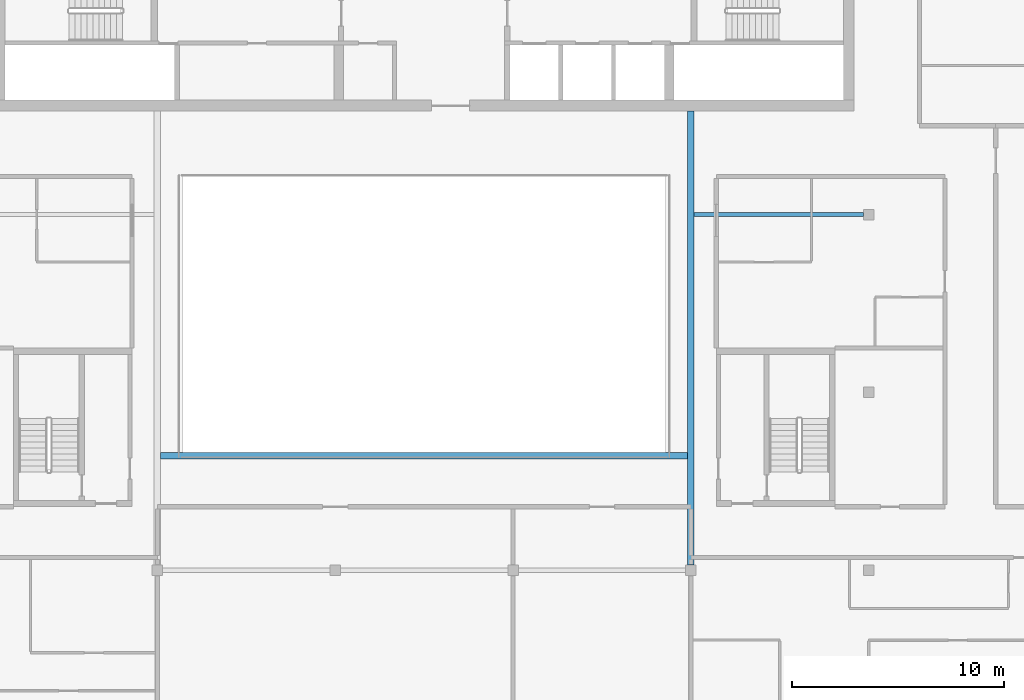
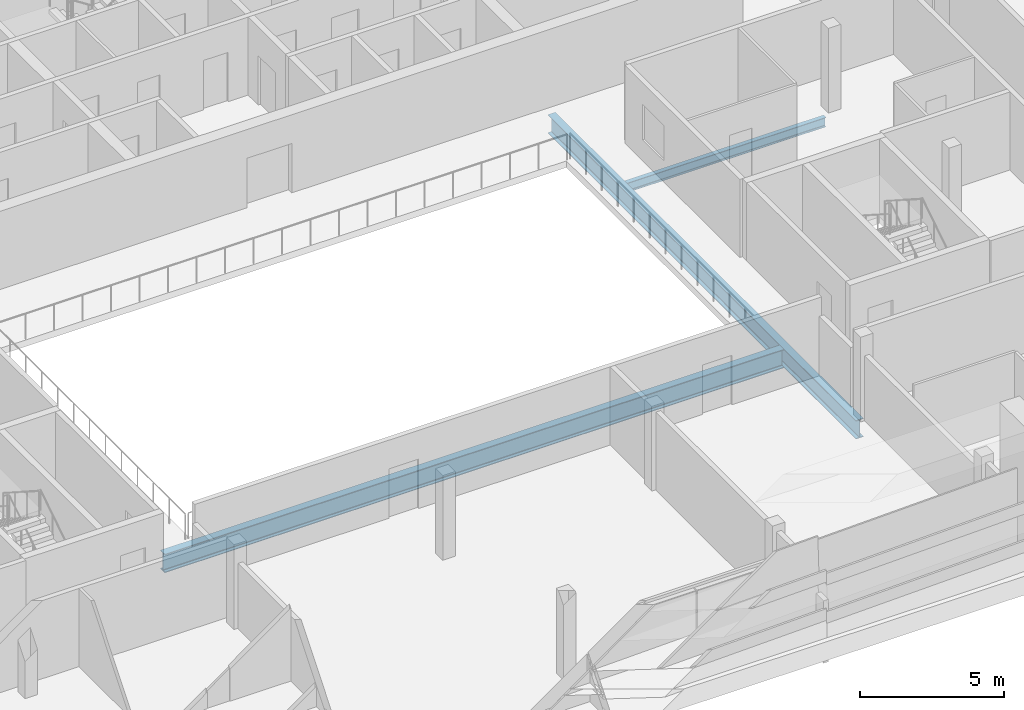
# One storey, part 8 of 33: 3 beams.
"""IFC4 building model written with IfcOpenShell, lengths in metres."""

from ifc_helpers import new_model, si_unit, direction, frame, origin, origin_2d, place, context, subcontext, project, spatial, i_section, extrude, material, material_profile, profile_set, type_object, element, save


model = new_model("IFC4")

# Units and contexts
model_context = context("Model", 3, precision=1e-05, world=origin(), true_north=direction((0.0, 1.0)))
body_context = subcontext(model_context, "Body", "Model", "MODEL_VIEW")
ifc_project = project(units=[si_unit("LENGTHUNIT", "METRE"), si_unit("AREAUNIT", "SQUARE_METRE"), si_unit("VOLUMEUNIT", "CUBIC_METRE"), si_unit("PLANEANGLEUNIT", "RADIAN"), si_unit("MASSUNIT", "GRAM", prefix="KILO")], contexts=[model_context])

# Site, building, storey
site_placement = place(None, origin())
site = spatial("IfcSite", under=ifc_project, at=site_placement, CompositionType="ELEMENT")
building_placement = place(site_placement, origin())
building = spatial("IfcBuilding", under=site, at=building_placement, Name="Saffron Gate Tower", CompositionType="ELEMENT")
storey_placement = place(building_placement, frame((0.0, 0.0, 263.550048828125)))
storey = spatial("IfcBuildingStorey", under=building, at=storey_placement, Name="L63", CompositionType="ELEMENT", Elevation=263.550048828125)

# Beams
ifc_material = material(Name="Structural steel S355", Category="steel")
ifc_material_profile_1 = material_profile(ifc_material, i_section(OverallWidth=0.300048828125, OverallDepth=0.7900390625, WebThickness=0.014892578125, FlangeThickness=0.028076171875, FilletRadius=0.030029296875, at=origin_2d()))
ifc_profile_set_1 = profile_set([ifc_material_profile_1], Name="Structural steel S355")
beam_type_1 = type_object("IfcBeamType", Name="B18 HEA 800", PredefinedType="BEAM", material=ifc_profile_set_1)
beam_1_placement = place(storey_placement, frame((100.199951171875, 40.449951171875, -0.675048828125), z_axis=(0.0, 1.0, 0.0), x_axis=(-1.0, 0.0, 0.0)))
element("IfcBeam", 1, at=beam_1_placement, inside=storey, type_object=beam_type_1, Name="B18 ATRIUM GIRDER", PredefinedType="BEAM", context=body_context, shape_type="SweptSolid", body=[
    extrude(i_section(OverallWidth=0.300048828125, OverallDepth=0.7900390625, WebThickness=0.014892578125, FlangeThickness=0.028076171875, FilletRadius=0.030029296875, at=origin_2d()), origin(), (0.0, 0.0, 1.0), 21.449951171875),
])
beam_2_placement = place(storey_placement, frame((75.14990234375, 45.60009765625, -0.675048828125), z_axis=(1.0, 0.0, 0.0), x_axis=(0.0, 1.0, 0.0)))
element("IfcBeam", 2, at=beam_2_placement, inside=storey, type_object=beam_type_1, Name="B18 ATRIUM GIRDER", PredefinedType="BEAM", context=body_context, shape_type="SweptSolid", body=[
    extrude(i_section(OverallWidth=0.300048828125, OverallDepth=0.7900390625, WebThickness=0.014892578125, FlangeThickness=0.028076171875, FilletRadius=0.030029296875, at=origin_2d()), origin(), (0.0, 0.0, 1.0), 24.900146484375),
])
ifc_material_profile_2 = material_profile(ifc_material, i_section(OverallWidth=0.179931640625, OverallDepth=0.39990234375, WebThickness=0.008544921875, FlangeThickness=0.013427734375, FilletRadius=0.02099609375, at=origin_2d()))
ifc_profile_set_2 = profile_set([ifc_material_profile_2], Name="Structural steel S355")
beam_type_2 = type_object("IfcBeamType", Name="B4 IPE 400", PredefinedType="BEAM", material=ifc_profile_set_2)
beam_3_placement = place(storey_placement, frame((108.35009765625, 57.0, -0.47998046875), z_axis=(-1.0, 0.0, 0.0), x_axis=(0.0, -1.0, 0.0)))
element("IfcBeam", 3, at=beam_3_placement, inside=storey, type_object=beam_type_2, Name="B4 CORE TIE BEAM", PredefinedType="BEAM", context=body_context, shape_type="SweptSolid", body=[
    extrude(i_section(OverallWidth=0.179931640625, OverallDepth=0.39990234375, WebThickness=0.008544921875, FlangeThickness=0.013427734375, FilletRadius=0.02099609375, at=origin_2d()), origin(), (0.0, 0.0, 1.0), 8.0),
])

save(model, "model.ifc")
